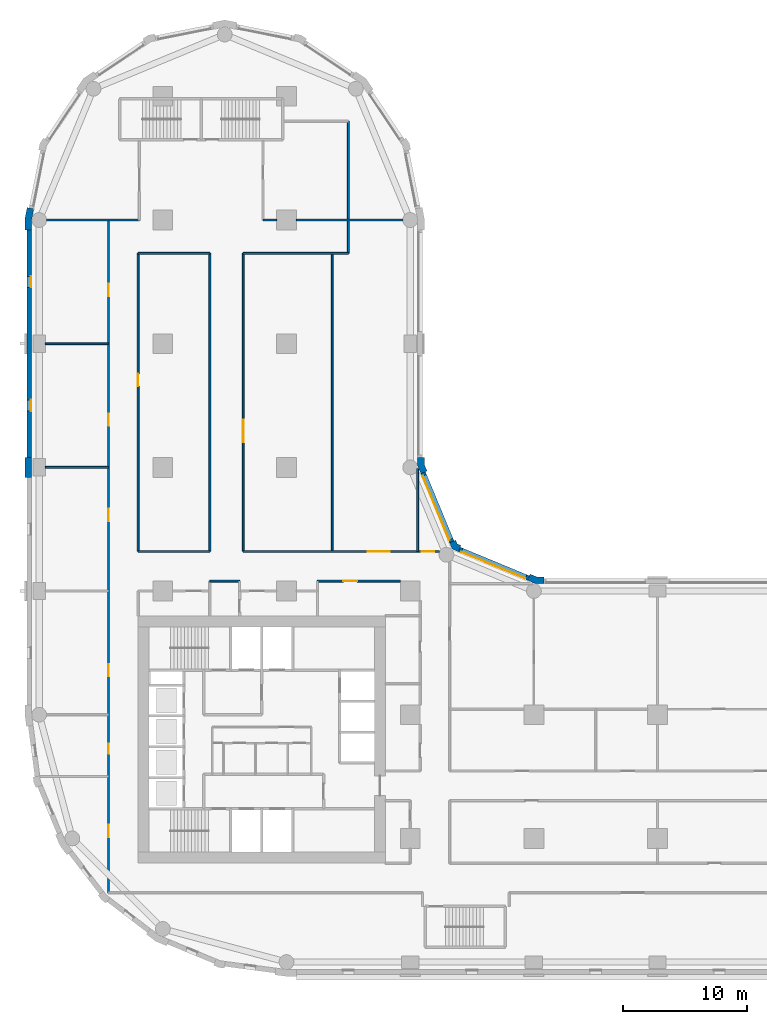
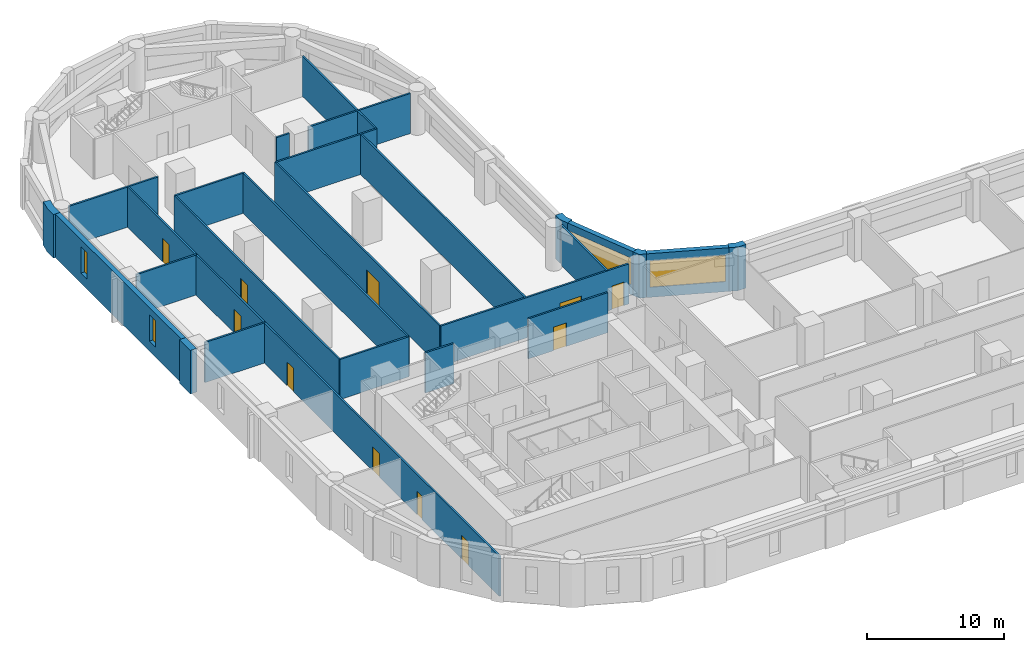
# One storey, part 5 of 10: 26 walls, 11 doors, 4 windows, 15 openings.
"""IFC4 building model written with IfcOpenShell, lengths in metres."""

from ifc_helpers import new_model, si_unit, direction, frame, frame_2d, origin, place, context, subcontext, project, spatial, polyline, rectangle, outline, extrude, material, layer, layer_set, type_object, element, fill, save


model = new_model("IFC4")

# Units and contexts
model_context = context("Model", 3, precision=1e-05, world=origin(), true_north=direction((0.0, 1.0)))
body_context = subcontext(model_context, "Body", "Model", "MODEL_VIEW")
ifc_project = project(units=[si_unit("LENGTHUNIT", "METRE"), si_unit("AREAUNIT", "SQUARE_METRE"), si_unit("VOLUMEUNIT", "CUBIC_METRE"), si_unit("PLANEANGLEUNIT", "RADIAN"), si_unit("MASSUNIT", "GRAM", prefix="KILO")], contexts=[model_context])

# Site, building, storey
site_placement = place(None, origin())
site = spatial("IfcSite", under=ifc_project, at=site_placement, CompositionType="ELEMENT")
building_placement = place(site_placement, origin())
building = spatial("IfcBuilding", under=site, at=building_placement, Name="Qaws Garden Tower", CompositionType="ELEMENT")
storey_placement = place(building_placement, frame((0.0, 0.0, 70.5)))
storey = spatial("IfcBuildingStorey", under=building, at=storey_placement, Name="L17", CompositionType="ELEMENT", Elevation=70.5)

# Wall, opening, window
ifc_material_1 = material(Name="Clay facing brick masonry", Category="masonry")
ifc_layer_1 = layer(ifc_material_1, 0.39990234375)
ifc_layer_set_1 = layer_set([ifc_layer_1], Name="Clay facing brick masonry")
wall_type_1 = type_object("IfcWallType", Name="Brick infill wall 400", PredefinedType="SOLIDWALL", material=ifc_layer_set_1)
wall_1_placement = place(storey_placement, frame((39.56689453125, 31.04541015625, 0.0), z_axis=(0.0, 0.0, 1.0), x_axis=(-0.923891000409, 0.382655745237, 0.0)))
wall_1 = element("IfcWall", 1, at=wall_1_placement, inside=storey, type_object=wall_type_1, Name="E-L17-infill-11", PredefinedType="SOLIDWALL", context=body_context, shape_type="SweptSolid", body=[
    extrude(rectangle(XDim=6.053466796875, YDim=0.39990234375, at=frame_2d((3.02685546875, 0.0))), origin(), (0.0, 0.0, 1.0), 3.89990234375),
])
opening_1_placement = place(wall_1_placement, frame((0.226806640625, 0.0, 0.89990234375)))
opening_1 = element("IfcOpeningElement", 2, at=opening_1_placement, cuts=wall_1, Name="Opening W04", PredefinedType="OPENING", context=body_context, shape_type="SweptSolid", body=[
    extrude(rectangle(XDim=5.60009765625, YDim=2.35009765625, at=frame_2d((2.800048828125, 1.175048828125))), frame((0.0, 0.2099609375, 0.0), z_axis=(0.0, -1.0, 0.0), x_axis=(1.0, 0.0, 0.0)), (0.0, 0.0, 1.0), 0.419921875),
])
ifc_material_2 = material(Name="Aluminium framed window, clear glazing", Category="aluminium")
window_type_1 = type_object("IfcWindowType", Name="Ribbon window 5600 x 2350", PartitioningType="DOUBLE_PANEL_VERTICAL", PredefinedType="WINDOW", material=ifc_material_2)
window_1_placement = place(opening_1_placement, origin())
window_1 = element("IfcWindow", 3, at=window_1_placement, inside=storey, type_object=window_type_1, Name="E-L17-window-11-0", OverallHeight=2.35009765625, OverallWidth=5.60009765625, PartitioningType="SINGLE_PANEL", PredefinedType="WINDOW", context=body_context, shape_type="SweptSolid", body=[
    extrude(rectangle(XDim=5.60009765625, YDim=2.35009765625, at=frame_2d((2.800048828125, 1.175048828125))), frame((0.0, 0.159912109375, 0.0), z_axis=(0.0, -1.0, 0.0), x_axis=(1.0, 0.0, 0.0)), (0.0, 0.0, 1.0), 0.06005859375),
])
fill(opening_1, window_1)

wall_2_placement = place(storey_placement, frame((33.36181640625, 33.97412109375, 0.0), z_axis=(0.0, 0.0, 1.0), x_axis=(-0.382655745237, 0.923891000409, 0.0)))
wall_2 = element("IfcWall", 4, at=wall_2_placement, inside=storey, type_object=wall_type_1, Name="E-L17-infill-12", PredefinedType="SOLIDWALL", context=body_context, shape_type="SweptSolid", body=[
    extrude(rectangle(XDim=6.053466796875, YDim=0.39990234375, at=frame_2d((3.02685546875, 0.0))), origin(), (0.0, 0.0, 1.0), 3.89990234375),
])
opening_2_placement = place(wall_2_placement, frame((0.226806640625, 0.0, 0.89990234375)))
opening_2 = element("IfcOpeningElement", 5, at=opening_2_placement, cuts=wall_2, Name="Opening W04", PredefinedType="OPENING", context=body_context, shape_type="SweptSolid", body=[
    extrude(rectangle(XDim=5.60009765625, YDim=2.35009765625, at=frame_2d((2.800048828125, 1.175048828125))), frame((0.0, 0.2099609375, 0.0), z_axis=(0.0, -1.0, 0.0), x_axis=(1.0, 0.0, 0.0)), (0.0, 0.0, 1.0), 0.419921875),
])
window_2_placement = place(opening_2_placement, origin())
window_2 = element("IfcWindow", 6, at=window_2_placement, inside=storey, type_object=window_type_1, Name="E-L17-window-12-0", OverallHeight=2.35009765625, OverallWidth=5.60009765625, PartitioningType="SINGLE_PANEL", PredefinedType="WINDOW", context=body_context, shape_type="SweptSolid", body=[
    extrude(rectangle(XDim=5.60009765625, YDim=2.35009765625, at=frame_2d((2.800048828125, 1.175048828125))), frame((0.0, 0.159912109375, 0.0), z_axis=(0.0, -1.0, 0.0), x_axis=(1.0, 0.0, 0.0)), (0.0, 0.0, 1.0), 0.06005859375),
])
fill(opening_2, window_2)

# Wall, openings, windows
wall_3_placement = place(storey_placement, frame((-0.800048828125, 59.199951171875, 0.0), z_axis=(0.0, 0.0, 1.0), x_axis=(0.0, -1.0, 0.0)))
wall_3 = element("IfcWall", 7, at=wall_3_placement, inside=storey, type_object=wall_type_1, Name="E-L17-infill-23", PredefinedType="SOLIDWALL", context=body_context, shape_type="SweptSolid", body=[
    extrude(rectangle(XDim=18.39990234375, YDim=0.39990234375, at=frame_2d((9.199951171875, 0.0))), origin(), (0.0, 0.0, 1.0), 3.89990234375),
])
opening_3_placement = place(wall_3_placement, frame((3.75, 0.0, 0.89990234375)))
opening_3 = element("IfcOpeningElement", 8, at=opening_3_placement, cuts=wall_3, Name="Opening W09", PredefinedType="OPENING", context=body_context, shape_type="SweptSolid", body=[
    extrude(rectangle(XDim=0.89990234375, YDim=2.35009765625, at=frame_2d((0.449951171875, 1.175048828125))), frame((0.0, 0.2099609375, 0.0), z_axis=(0.0, -1.0, 0.0), x_axis=(1.0, 0.0, 0.0)), (0.0, 0.0, 1.0), 0.419921875),
])
opening_4_placement = place(wall_3_placement, frame((13.75, 0.0, 0.89990234375)))
opening_4 = element("IfcOpeningElement", 9, at=opening_4_placement, cuts=wall_3, Name="Opening W09", PredefinedType="OPENING", context=body_context, shape_type="SweptSolid", body=[
    extrude(rectangle(XDim=0.89990234375, YDim=2.35009765625, at=frame_2d((0.449951171875, 1.175048828125))), frame((0.0, 0.2099609375, 0.0), z_axis=(0.0, -1.0, 0.0), x_axis=(1.0, 0.0, 0.0)), (0.0, 0.0, 1.0), 0.419921875),
])
ifc_material_3 = material(Name="Aluminium framed window, clear glazing", Category="aluminium")
window_type_2 = type_object("IfcWindowType", Name="Slit window 900 x 2350", PartitioningType="SINGLE_PANEL", PredefinedType="WINDOW", material=ifc_material_3)
window_3_placement = place(opening_3_placement, origin())
window_3 = element("IfcWindow", 10, at=window_3_placement, inside=storey, type_object=window_type_2, Name="E-L17-window-23-0", OverallHeight=2.35009765625, OverallWidth=0.89990234375, PartitioningType="SINGLE_PANEL", PredefinedType="WINDOW", context=body_context, shape_type="SweptSolid", body=[
    extrude(rectangle(XDim=0.89990234375, YDim=2.35009765625, at=frame_2d((0.449951171875, 1.175048828125))), frame((0.0, 0.159912109375, 0.0), z_axis=(0.0, -1.0, 0.0), x_axis=(1.0, 0.0, 0.0)), (0.0, 0.0, 1.0), 0.06005859375),
])
fill(opening_3, window_3)
window_4_placement = place(opening_4_placement, origin())
window_4 = element("IfcWindow", 11, at=window_4_placement, inside=storey, type_object=window_type_2, Name="E-L17-window-24-0", OverallHeight=2.35009765625, OverallWidth=0.89990234375, PartitioningType="SINGLE_PANEL", PredefinedType="WINDOW", context=body_context, shape_type="SweptSolid", body=[
    extrude(rectangle(XDim=0.89990234375, YDim=2.35009765625, at=frame_2d((0.449951171875, 1.175048828125))), frame((0.0, 0.159912109375, 0.0), z_axis=(0.0, -1.0, 0.0), x_axis=(1.0, 0.0, 0.0)), (0.0, 0.0, 1.0), 0.06005859375),
])
fill(opening_4, window_4)

# Walls
ifc_material_4 = material(Name="Clay facing brick masonry", Category="masonry")
ifc_layer_2 = layer(ifc_material_4, 0.550048828125)
ifc_layer_set_2 = layer_set([ifc_layer_2], Name="Clay facing brick masonry")
wall_type_2 = type_object("IfcWallType", Name="Brick pier 550 x 1600", PredefinedType="SOLIDWALL", material=ifc_layer_set_2)
placement = place(storey_placement, origin())
element("IfcWall", 12, at=placement, inside=storey, type_object=wall_type_2, Name="E-L17-pier-11", PredefinedType="SOLIDWALL", context=body_context, shape_type="SweptSolid", body=[
    extrude(outline(polyline([(40.800048828125, 31.0), (40.800048828125, 31.14990234375), (40.228759765625, 31.14990234375), (39.700927734375, 31.36865234375), (39.6435546875, 31.22998046875), (39.490478515625, 30.860595703125), (40.119384765625, 30.60009765625), (40.800048828125, 30.60009765625), (40.800048828125, 31.0)])), origin(), (0.0, 0.0, 1.0), 3.89990234375),
])
element("IfcWall", 13, at=placement, inside=storey, type_object=wall_type_2, Name="E-L17-pier-12", PredefinedType="SOLIDWALL", context=body_context, shape_type="SweptSolid", body=[
    extrude(outline(polyline([(34.05078125, 33.546630859375), (34.108154296875, 33.685302734375), (33.80908203125, 33.80908203125), (33.685302734375, 34.108154296875), (33.546630859375, 34.05078125), (33.177001953125, 33.897705078125), (33.38818359375, 33.38818359375), (33.897705078125, 33.177001953125), (34.05078125, 33.546630859375)])), origin(), (0.0, 0.0, 1.0), 3.89990234375),
])
element("IfcWall", 14, at=placement, inside=storey, type_object=wall_type_2, Name="E-L17-pier-13", PredefinedType="SOLIDWALL", context=body_context, shape_type="SweptSolid", body=[
    extrude(outline(polyline([(31.22998046875, 39.6435546875), (31.36865234375, 39.700927734375), (31.14990234375, 40.228759765625), (31.14990234375, 40.800048828125), (31.0, 40.800048828125), (30.60009765625, 40.800048828125), (30.60009765625, 40.119384765625), (30.860595703125, 39.490478515625), (31.22998046875, 39.6435546875)])), origin(), (0.0, 0.0, 1.0), 3.89990234375),
])
element("IfcWall", 15, at=placement, inside=storey, type_object=wall_type_2, Name="E-L17-pier-23", PredefinedType="SOLIDWALL", context=body_context, shape_type="SweptSolid", body=[
    extrude(outline(polyline([(-0.82470703125, 60.979736328125), (-0.971923828125, 61.009033203125), (-1.14990234375, 60.11328125), (-1.14990234375, 59.199951171875), (-1.0, 59.199951171875), (-0.60009765625, 59.199951171875), (-0.60009765625, 60.05908203125), (-0.432373046875, 60.901611328125), (-0.82470703125, 60.979736328125)])), origin(), (0.0, 0.0, 1.0), 3.89990234375),
])
element("IfcWall", 16, at=placement, inside=storey, type_object=wall_type_2, Name="E-L17-pier-25", PredefinedType="SOLIDWALL", context=body_context, shape_type="SweptSolid", body=[
    extrude(outline(polyline([(-1.0, 40.800048828125), (-1.14990234375, 40.800048828125), (-1.14990234375, 40.0), (-1.14990234375, 39.199951171875), (-1.0, 39.199951171875), (-0.60009765625, 39.199951171875), (-0.60009765625, 40.0), (-0.60009765625, 40.800048828125), (-1.0, 40.800048828125)])), origin(), (0.0, 0.0, 1.0), 3.89990234375),
])

# Wall, openings, doors
ifc_material_5 = material(Name="Gypsum board partition")
ifc_layer_3 = layer(ifc_material_5, 0.14990234375)
ifc_layer_set_3 = layer_set([ifc_layer_3], Name="Gypsum board partition")
wall_type_3 = type_object("IfcWallType", Name="PARTITION 150 EI 60", PredefinedType="PARTITIONING", material=ifc_layer_set_3)
wall_9_placement = place(storey_placement, frame((5.60009765625, 5.60009765625, 0.0), z_axis=(0.0, 0.0, 1.0), x_axis=(0.0, 1.0, 0.0)))
wall_9 = element("IfcWall", 17, at=wall_9_placement, inside=storey, type_object=wall_type_3, Name="O-L17-wall-004", PredefinedType="PARTITIONING", context=body_context, shape_type="SweptSolid", body=[
    extrude(rectangle(XDim=54.39990234375, YDim=0.14990234375, at=frame_2d((27.199951171875, 0.0))), origin(), (0.0, 0.0, 1.0), 3.580078125),
])
opening_5_placement = place(wall_9_placement, frame((4.5, 0.0, 0.0)))
opening_5 = element("IfcOpeningElement", 18, at=opening_5_placement, cuts=wall_9, Name="Opening A601", PredefinedType="OPENING", context=body_context, shape_type="SweptSolid", body=[
    extrude(rectangle(XDim=1.0, YDim=2.10009765625, at=frame_2d((0.5, 1.050048828125))), frame((0.0, 0.0849609375, 0.0), z_axis=(0.0, -1.0, 0.0), x_axis=(1.0, 0.0, 0.0)), (0.0, 0.0, 1.0), 0.169921875),
])
opening_6_placement = place(wall_9_placement, frame((11.25, 0.0, 0.0)))
opening_6 = element("IfcOpeningElement", 19, at=opening_6_placement, cuts=wall_9, Name="Opening A602", PredefinedType="OPENING", context=body_context, shape_type="SweptSolid", body=[
    extrude(rectangle(XDim=0.800048828125, YDim=2.10009765625, at=frame_2d((0.39990234375, 1.050048828125))), frame((0.0, 0.0849609375, 0.0), z_axis=(0.0, -1.0, 0.0), x_axis=(1.0, 0.0, 0.0)), (0.0, 0.0, 1.0), 0.169921875),
])
opening_7_placement = place(wall_9_placement, frame((17.5, 0.0, 0.0)))
opening_7 = element("IfcOpeningElement", 20, at=opening_7_placement, cuts=wall_9, Name="Opening A610", PredefinedType="OPENING", context=body_context, shape_type="SweptSolid", body=[
    extrude(rectangle(XDim=1.0, YDim=2.10009765625, at=frame_2d((0.5, 1.050048828125))), frame((0.0, 0.0849609375, 0.0), z_axis=(0.0, -1.0, 0.0), x_axis=(1.0, 0.0, 0.0)), (0.0, 0.0, 1.0), 0.169921875),
])
opening_8_placement = place(wall_9_placement, frame((30.050048828125, 0.0, 0.0)))
opening_8 = element("IfcOpeningElement", 21, at=opening_8_placement, cuts=wall_9, Name="Opening A619", PredefinedType="OPENING", context=body_context, shape_type="SweptSolid", body=[
    extrude(rectangle(XDim=1.0, YDim=2.10009765625, at=frame_2d((0.5, 1.050048828125))), frame((0.0, 0.0849609375, 0.0), z_axis=(0.0, -1.0, 0.0), x_axis=(1.0, 0.0, 0.0)), (0.0, 0.0, 1.0), 0.169921875),
])
opening_9_placement = place(wall_9_placement, frame((37.75, 0.0, 0.0)))
opening_9 = element("IfcOpeningElement", 22, at=opening_9_placement, cuts=wall_9, Name="Opening A620", PredefinedType="OPENING", context=body_context, shape_type="SweptSolid", body=[
    extrude(rectangle(XDim=1.0, YDim=2.10009765625, at=frame_2d((0.5, 1.050048828125))), frame((0.0, 0.0849609375, 0.0), z_axis=(0.0, -1.0, 0.0), x_axis=(1.0, 0.0, 0.0)), (0.0, 0.0, 1.0), 0.169921875),
])
opening_10_placement = place(wall_9_placement, frame((48.25, 0.0, 0.0)))
opening_10 = element("IfcOpeningElement", 23, at=opening_10_placement, cuts=wall_9, Name="Opening A621", PredefinedType="OPENING", context=body_context, shape_type="SweptSolid", body=[
    extrude(rectangle(XDim=1.0, YDim=2.10009765625, at=frame_2d((0.5, 1.050048828125))), frame((0.0, 0.0849609375, 0.0), z_axis=(0.0, -1.0, 0.0), x_axis=(1.0, 0.0, 0.0)), (0.0, 0.0, 1.0), 0.169921875),
])
ifc_material_6 = material(Name="Timber door leaf", Category="wood")
door_type_1 = type_object("IfcDoorType", Name="STORE DOOR 800 X 2100", OperationType="SINGLE_SWING_LEFT", PredefinedType="DOOR", material=ifc_material_6)
door_1_placement = place(opening_6_placement, origin())
door_1 = element("IfcDoor", 24, at=door_1_placement, inside=storey, type_object=door_type_1, Name="O-L17-door-002", OperationType="SINGLE_SWING_RIGHT", OverallHeight=2.10009765625, OverallWidth=0.800048828125, PredefinedType="DOOR", context=body_context, shape_type="SweptSolid", body=[
    extrude(rectangle(XDim=0.800048828125, YDim=2.10009765625, at=frame_2d((0.39990234375, 1.050048828125))), frame((0.0, 0.02490234375, 0.0), z_axis=(0.0, -1.0, 0.0), x_axis=(1.0, 0.0, 0.0)), (0.0, 0.0, 1.0), 0.050048828125),
])
fill(opening_6, door_1)
ifc_material_7 = material(Name="Timber door leaf", Category="wood")
door_type_2 = type_object("IfcDoorType", Name="TENANCY ENTRANCE DOOR 1000 X 2100", OperationType="SINGLE_SWING_LEFT", PredefinedType="DOOR", material=ifc_material_7)
door_2_placement = place(opening_5_placement, origin())
door_2 = element("IfcDoor", 25, at=door_2_placement, inside=storey, type_object=door_type_2, Name="O-L17-door-001", OperationType="SINGLE_SWING_RIGHT", OverallHeight=2.10009765625, OverallWidth=1.0, PredefinedType="DOOR", context=body_context, shape_type="SweptSolid", body=[
    extrude(rectangle(XDim=1.0, YDim=2.10009765625, at=frame_2d((0.5, 1.050048828125))), frame((0.0, 0.02490234375, 0.0), z_axis=(0.0, -1.0, 0.0), x_axis=(1.0, 0.0, 0.0)), (0.0, 0.0, 1.0), 0.050048828125),
])
fill(opening_5, door_2)
door_3_placement = place(opening_7_placement, origin())
door_3 = element("IfcDoor", 26, at=door_3_placement, inside=storey, type_object=door_type_2, Name="O-L17-door-010", OperationType="SINGLE_SWING_RIGHT", OverallHeight=2.10009765625, OverallWidth=1.0, PredefinedType="DOOR", context=body_context, shape_type="SweptSolid", body=[
    extrude(rectangle(XDim=1.0, YDim=2.10009765625, at=frame_2d((0.5, 1.050048828125))), frame((0.0, 0.02490234375, 0.0), z_axis=(0.0, -1.0, 0.0), x_axis=(1.0, 0.0, 0.0)), (0.0, 0.0, 1.0), 0.050048828125),
])
fill(opening_7, door_3)
door_4_placement = place(opening_8_placement, origin())
door_4 = element("IfcDoor", 27, at=door_4_placement, inside=storey, type_object=door_type_2, Name="O-L17-door-019", OperationType="SINGLE_SWING_LEFT", OverallHeight=2.10009765625, OverallWidth=1.0, PredefinedType="DOOR", context=body_context, shape_type="SweptSolid", body=[
    extrude(rectangle(XDim=1.0, YDim=2.10009765625, at=frame_2d((0.5, 1.050048828125))), frame((0.0, 0.02490234375, 0.0), z_axis=(0.0, -1.0, 0.0), x_axis=(1.0, 0.0, 0.0)), (0.0, 0.0, 1.0), 0.050048828125),
])
fill(opening_8, door_4)
door_5_placement = place(opening_9_placement, origin())
door_5 = element("IfcDoor", 28, at=door_5_placement, inside=storey, type_object=door_type_2, Name="O-L17-door-020", OperationType="SINGLE_SWING_LEFT", OverallHeight=2.10009765625, OverallWidth=1.0, PredefinedType="DOOR", context=body_context, shape_type="SweptSolid", body=[
    extrude(rectangle(XDim=1.0, YDim=2.10009765625, at=frame_2d((0.5, 1.050048828125))), frame((0.0, 0.02490234375, 0.0), z_axis=(0.0, -1.0, 0.0), x_axis=(1.0, 0.0, 0.0)), (0.0, 0.0, 1.0), 0.050048828125),
])
fill(opening_9, door_5)
door_6_placement = place(opening_10_placement, origin())
door_6 = element("IfcDoor", 29, at=door_6_placement, inside=storey, type_object=door_type_2, Name="O-L17-door-021", OperationType="SINGLE_SWING_LEFT", OverallHeight=2.10009765625, OverallWidth=1.0, PredefinedType="DOOR", context=body_context, shape_type="SweptSolid", body=[
    extrude(rectangle(XDim=1.0, YDim=2.10009765625, at=frame_2d((0.5, 1.050048828125))), frame((0.0, 0.02490234375, 0.0), z_axis=(0.0, -1.0, 0.0), x_axis=(1.0, 0.0, 0.0)), (0.0, 0.0, 1.0), 0.050048828125),
])
fill(opening_10, door_6)

# Wall, opening, door
wall_10_placement = place(storey_placement, frame((8.0, 33.199951171875, 0.0), z_axis=(0.0, 0.0, 1.0), x_axis=(0.0, 1.0, 0.0)))
wall_10 = element("IfcWall", 30, at=wall_10_placement, inside=storey, type_object=wall_type_3, Name="O-L17-wall-006", PredefinedType="PARTITIONING", context=body_context, shape_type="SweptSolid", body=[
    extrude(rectangle(XDim=24.10009765625, YDim=0.14990234375, at=frame_2d((12.050048828125, 0.0))), origin(), (0.0, 0.0, 1.0), 3.580078125),
])
opening_11_placement = place(wall_10_placement, frame((13.35009765625, 0.0, 0.0)))
opening_11 = element("IfcOpeningElement", 31, at=opening_11_placement, cuts=wall_10, Name="Opening A613", PredefinedType="OPENING", context=body_context, shape_type="SweptSolid", body=[
    extrude(rectangle(XDim=1.0, YDim=2.10009765625, at=frame_2d((0.5, 1.050048828125))), frame((0.0, 0.0849609375, 0.0), z_axis=(0.0, -1.0, 0.0), x_axis=(1.0, 0.0, 0.0)), (0.0, 0.0, 1.0), 0.169921875),
])
door_7_placement = place(opening_11_placement, frame((1.0, 0.0, 0.0), z_axis=(0.0, 0.0, 1.0), x_axis=(-1.0, 0.0, 0.0)))
door_7 = element("IfcDoor", 32, at=door_7_placement, inside=storey, type_object=door_type_2, Name="O-L17-door-013", OperationType="SINGLE_SWING_RIGHT", OverallHeight=2.10009765625, OverallWidth=1.0, PredefinedType="DOOR", context=body_context, shape_type="SweptSolid", body=[
    extrude(rectangle(XDim=1.0, YDim=2.10009765625, at=frame_2d((0.5, 1.050048828125))), frame((0.0, 0.02490234375, 0.0), z_axis=(0.0, -1.0, 0.0), x_axis=(1.0, 0.0, 0.0)), (0.0, 0.0, 1.0), 0.050048828125),
])
fill(opening_11, door_7)

# Wall
wall_11_placement = place(storey_placement, frame((13.800048828125, 33.199951171875, 0.0), z_axis=(0.0, 0.0, 1.0), x_axis=(0.0, 1.0, 0.0)))
element("IfcWall", 33, at=wall_11_placement, inside=storey, type_object=wall_type_3, Name="O-L17-wall-009", PredefinedType="PARTITIONING", context=body_context, shape_type="SweptSolid", body=[
    extrude(rectangle(XDim=24.10009765625, YDim=0.14990234375, at=frame_2d((12.050048828125, 0.0))), origin(), (0.0, 0.0, 1.0), 3.580078125),
])

# Wall, opening, door
wall_12_placement = place(storey_placement, frame((16.5, 33.199951171875, 0.0), z_axis=(0.0, 0.0, 1.0), x_axis=(0.0, 1.0, 0.0)))
wall_12 = element("IfcWall", 34, at=wall_12_placement, inside=storey, type_object=wall_type_3, Name="O-L17-wall-011", PredefinedType="PARTITIONING", context=body_context, shape_type="SweptSolid", body=[
    extrude(rectangle(XDim=24.10009765625, YDim=0.14990234375, at=frame_2d((12.050048828125, 0.0))), origin(), (0.0, 0.0, 1.0), 3.580078125),
])
opening_12_placement = place(wall_12_placement, frame((8.85009765625, 0.0, 0.0)))
opening_12 = element("IfcOpeningElement", 35, at=opening_12_placement, cuts=wall_12, Name="Opening A614", PredefinedType="OPENING", context=body_context, shape_type="SweptSolid", body=[
    extrude(rectangle(XDim=1.800048828125, YDim=2.10009765625, at=frame_2d((0.89990234375, 1.050048828125))), frame((0.0, 0.0849609375, 0.0), z_axis=(0.0, -1.0, 0.0), x_axis=(1.0, 0.0, 0.0)), (0.0, 0.0, 1.0), 0.169921875),
])
ifc_material_8 = material(Name="Timber door leaf", Category="wood")
door_type_3 = type_object("IfcDoorType", Name="DOUBLE DOOR 1800 X 2100", OperationType="DOUBLE_DOOR_SINGLE_SWING", PredefinedType="DOOR", material=ifc_material_8)
door_8_placement = place(opening_12_placement, frame((1.800048828125, 0.0, 0.0), z_axis=(0.0, 0.0, 1.0), x_axis=(-1.0, 0.0, 0.0)))
door_8 = element("IfcDoor", 36, at=door_8_placement, inside=storey, type_object=door_type_3, Name="O-L17-door-014", OperationType="DOUBLE_DOOR_SINGLE_SWING", OverallHeight=2.10009765625, OverallWidth=1.800048828125, PredefinedType="DOOR", context=body_context, shape_type="SweptSolid", body=[
    extrude(rectangle(XDim=1.800048828125, YDim=2.10009765625, at=frame_2d((0.89990234375, 1.050048828125))), frame((0.0, 0.02490234375, 0.0), z_axis=(0.0, -1.0, 0.0), x_axis=(1.0, 0.0, 0.0)), (0.0, 0.0, 1.0), 0.050048828125),
])
fill(opening_12, door_8)

# Walls
wall_13_placement = place(storey_placement, frame((23.699951171875, 33.199951171875, 0.0), z_axis=(0.0, 0.0, 1.0), x_axis=(0.0, 1.0, 0.0)))
element("IfcWall", 37, at=wall_13_placement, inside=storey, type_object=wall_type_3, Name="O-L17-wall-014", PredefinedType="PARTITIONING", context=body_context, shape_type="SweptSolid", body=[
    extrude(rectangle(XDim=24.10009765625, YDim=0.14990234375, at=frame_2d((12.050048828125, 0.0))), origin(), (0.0, 0.0, 1.0), 3.580078125),
])
wall_14_placement = place(storey_placement, frame((25.0, 57.300048828125, 0.0), z_axis=(0.0, 0.0, 1.0), x_axis=(0.0, 1.0, 0.0)))
element("IfcWall", 38, at=wall_14_placement, inside=storey, type_object=wall_type_3, Name="O-L17-wall-015", PredefinedType="PARTITIONING", context=body_context, shape_type="SweptSolid", body=[
    extrude(rectangle(XDim=10.699951171875, YDim=0.14990234375, at=frame_2d((5.35009765625, 0.0))), origin(), (0.0, 0.0, 1.0), 3.580078125),
])
wall_15_placement = place(storey_placement, frame((30.60009765625, 33.199951171875, 0.0), z_axis=(0.0, 0.0, 1.0), x_axis=(0.0, 1.0, 0.0)))
element("IfcWall", 39, at=wall_15_placement, inside=storey, type_object=wall_type_3, Name="O-L17-wall-018", PredefinedType="PARTITIONING", context=body_context, shape_type="SweptSolid", body=[
    extrude(rectangle(XDim=6.698974609375, YDim=0.14990234375, at=frame_2d((3.349609375, 0.0))), origin(), (0.0, 0.0, 1.0), 3.580078125),
])
wall_16_placement = place(storey_placement, frame((13.800048828125, 30.800048828125, 0.0), z_axis=(0.0, 0.0, 1.0), x_axis=(1.0, 0.0, 0.0)))
element("IfcWall", 40, at=wall_16_placement, inside=storey, type_object=wall_type_3, Name="O-L17-wall-054", PredefinedType="PARTITIONING", context=body_context, shape_type="SweptSolid", body=[
    extrude(rectangle(XDim=2.39990234375, YDim=0.14990234375, at=frame_2d((1.199951171875, 0.0))), origin(), (0.0, 0.0, 1.0), 3.580078125),
])

# Wall, opening, door
wall_17_placement = place(storey_placement, frame((22.5, 30.800048828125, 0.0), z_axis=(0.0, 0.0, 1.0), x_axis=(1.0, 0.0, 0.0)))
wall_17 = element("IfcWall", 41, at=wall_17_placement, inside=storey, type_object=wall_type_3, Name="O-L17-wall-055", PredefinedType="PARTITIONING", context=body_context, shape_type="SweptSolid", body=[
    extrude(rectangle(XDim=6.699951171875, YDim=0.14990234375, at=frame_2d((3.35009765625, 0.0))), origin(), (0.0, 0.0, 1.0), 3.580078125),
])
opening_13_placement = place(wall_17_placement, frame((2.10009765625, 0.0, 0.0)))
opening_13 = element("IfcOpeningElement", 42, at=opening_13_placement, cuts=wall_17, Name="Opening A612", PredefinedType="OPENING", context=body_context, shape_type="SweptSolid", body=[
    extrude(rectangle(XDim=1.10009765625, YDim=2.10009765625, at=frame_2d((0.550048828125, 1.050048828125))), frame((0.0, 0.0849609375, 0.0), z_axis=(0.0, -1.0, 0.0), x_axis=(1.0, 0.0, 0.0)), (0.0, 0.0, 1.0), 0.169921875),
])
ifc_material_9 = material(Name="Timber door leaf", Category="wood")
door_type_4 = type_object("IfcDoorType", Name="SERVICE ROOM DOOR 1100 X 2100", OperationType="SINGLE_SWING_LEFT", PredefinedType="DOOR", material=ifc_material_9)
door_9_placement = place(opening_13_placement, frame((1.10009765625, 0.0, 0.0), z_axis=(0.0, 0.0, 1.0), x_axis=(-1.0, 0.0, 0.0)))
door_9 = element("IfcDoor", 43, at=door_9_placement, inside=storey, type_object=door_type_4, Name="O-L17-door-012", OperationType="SINGLE_SWING_LEFT", OverallHeight=2.10009765625, OverallWidth=1.10009765625, PredefinedType="DOOR", context=body_context, shape_type="SweptSolid", body=[
    extrude(rectangle(XDim=1.10009765625, YDim=2.10009765625, at=frame_2d((0.550048828125, 1.050048828125))), frame((0.0, 0.02490234375, 0.0), z_axis=(0.0, -1.0, 0.0), x_axis=(1.0, 0.0, 0.0)), (0.0, 0.0, 1.0), 0.050048828125),
])
fill(opening_13, door_9)

# Wall
wall_18_placement = place(storey_placement, frame((8.0, 33.199951171875, 0.0), z_axis=(0.0, 0.0, 1.0), x_axis=(1.0, 0.0, 0.0)))
element("IfcWall", 44, at=wall_18_placement, inside=storey, type_object=wall_type_3, Name="O-L17-wall-056", PredefinedType="PARTITIONING", context=body_context, shape_type="SweptSolid", body=[
    extrude(rectangle(XDim=5.800048828125, YDim=0.14990234375, at=frame_2d((2.89990234375, 0.0))), origin(), (0.0, 0.0, 1.0), 3.580078125),
])

# Wall, openings, doors
wall_19_placement = place(storey_placement, frame((16.5, 33.199951171875, 0.0), z_axis=(0.0, 0.0, 1.0), x_axis=(1.0, 0.0, 0.0)))
wall_19 = element("IfcWall", 45, at=wall_19_placement, inside=storey, type_object=wall_type_3, Name="O-L17-wall-057", PredefinedType="PARTITIONING", context=body_context, shape_type="SweptSolid", body=[
    extrude(rectangle(XDim=15.862060546875, YDim=0.14990234375, at=frame_2d((7.93115234375, 0.0))), origin(), (0.0, 0.0, 1.0), 3.580078125),
])
opening_14_placement = place(wall_19_placement, frame((10.050048828125, 0.0, 0.0)))
opening_14 = element("IfcOpeningElement", 46, at=opening_14_placement, cuts=wall_19, Name="Opening A615", PredefinedType="OPENING", context=body_context, shape_type="SweptSolid", body=[
    extrude(rectangle(XDim=1.800048828125, YDim=2.10009765625, at=frame_2d((0.89990234375, 1.050048828125))), frame((0.0, 0.0849609375, 0.0), z_axis=(0.0, -1.0, 0.0), x_axis=(1.0, 0.0, 0.0)), (0.0, 0.0, 1.0), 0.169921875),
])
opening_15_placement = place(wall_19_placement, frame((14.449951171875, 0.0, 0.0)))
opening_15 = element("IfcOpeningElement", 47, at=opening_15_placement, cuts=wall_19, Name="Opening A618", PredefinedType="OPENING", context=body_context, shape_type="SweptSolid", body=[
    extrude(rectangle(XDim=1.0, YDim=2.10009765625, at=frame_2d((0.5, 1.050048828125))), frame((0.0, 0.0849609375, 0.0), z_axis=(0.0, -1.0, 0.0), x_axis=(1.0, 0.0, 0.0)), (0.0, 0.0, 1.0), 0.169921875),
])
door_10_placement = place(opening_14_placement, origin())
door_10 = element("IfcDoor", 48, at=door_10_placement, inside=storey, type_object=door_type_3, Name="O-L17-door-015", OperationType="DOUBLE_DOOR_SINGLE_SWING", OverallHeight=2.10009765625, OverallWidth=1.800048828125, PredefinedType="DOOR", context=body_context, shape_type="SweptSolid", body=[
    extrude(rectangle(XDim=1.800048828125, YDim=2.10009765625, at=frame_2d((0.89990234375, 1.050048828125))), frame((0.0, 0.02490234375, 0.0), z_axis=(0.0, -1.0, 0.0), x_axis=(1.0, 0.0, 0.0)), (0.0, 0.0, 1.0), 0.050048828125),
])
fill(opening_14, door_10)
door_11_placement = place(opening_15_placement, origin())
door_11 = element("IfcDoor", 49, at=door_11_placement, inside=storey, type_object=door_type_2, Name="O-L17-door-018", OperationType="SINGLE_SWING_LEFT", OverallHeight=2.10009765625, OverallWidth=1.0, PredefinedType="DOOR", context=body_context, shape_type="SweptSolid", body=[
    extrude(rectangle(XDim=1.0, YDim=2.10009765625, at=frame_2d((0.5, 1.050048828125))), frame((0.0, 0.02490234375, 0.0), z_axis=(0.0, -1.0, 0.0), x_axis=(1.0, 0.0, 0.0)), (0.0, 0.0, 1.0), 0.050048828125),
])
fill(opening_15, door_11)

# Walls
for number, where, z_axis, x_axis, name in (
    (50, (0.5, 40.0, 0.0), (0.0, 0.0, 1.0), (1.0, 0.0, 0.0), "O-L17-wall-058"),
    (51, (0.5, 50.0, 0.0), (0.0, 0.0, 1.0), (1.0, 0.0, 0.0), "O-L17-wall-059"),
):
    element("IfcWall", number, at=place(storey_placement, frame(where, z_axis=z_axis, x_axis=x_axis)), inside=storey, type_object=wall_type_3, Name=name, PredefinedType="PARTITIONING", context=body_context, shape_type="SweptSolid", body=[
        extrude(rectangle(XDim=5.10009765625, YDim=0.14990234375, at=frame_2d((2.550048828125, 0.0))), origin(), (0.0, 0.0, 1.0), 3.580078125),
    ])
wall_20_placement = place(storey_placement, frame((8.0, 57.300048828125, 0.0), z_axis=(0.0, 0.0, 1.0), x_axis=(1.0, 0.0, 0.0)))
element("IfcWall", 52, at=wall_20_placement, inside=storey, type_object=wall_type_3, Name="O-L17-wall-060", PredefinedType="PARTITIONING", context=body_context, shape_type="SweptSolid", body=[
    extrude(rectangle(XDim=5.800048828125, YDim=0.14990234375, at=frame_2d((2.89990234375, 0.0))), origin(), (0.0, 0.0, 1.0), 3.580078125),
])
wall_21_placement = place(storey_placement, frame((16.5, 57.300048828125, 0.0), z_axis=(0.0, 0.0, 1.0), x_axis=(1.0, 0.0, 0.0)))
element("IfcWall", 53, at=wall_21_placement, inside=storey, type_object=wall_type_3, Name="O-L17-wall-061", PredefinedType="PARTITIONING", context=body_context, shape_type="SweptSolid", body=[
    extrude(rectangle(XDim=8.5, YDim=0.14990234375, at=frame_2d((4.25, 0.0))), origin(), (0.0, 0.0, 1.0), 3.580078125),
])
wall_22_placement = place(storey_placement, frame((0.60009765625, 60.0, 0.0), z_axis=(0.0, 0.0, 1.0), x_axis=(1.0, 0.0, 0.0)))
element("IfcWall", 54, at=wall_22_placement, inside=storey, type_object=wall_type_3, Name="O-L17-wall-062", PredefinedType="PARTITIONING", context=body_context, shape_type="SweptSolid", body=[
    extrude(rectangle(XDim=7.5, YDim=0.14990234375, at=frame_2d((3.75, 0.0))), origin(), (0.0, 0.0, 1.0), 3.580078125),
])
wall_23_placement = place(storey_placement, frame((18.10009765625, 60.0, 0.0), z_axis=(0.0, 0.0, 1.0), x_axis=(1.0, 0.0, 0.0)))
element("IfcWall", 55, at=wall_23_placement, inside=storey, type_object=wall_type_3, Name="O-L17-wall-063", PredefinedType="PARTITIONING", context=body_context, shape_type="SweptSolid", body=[
    extrude(rectangle(XDim=1.099853515625, YDim=0.14990234375, at=frame_2d((0.5498046875, 0.0))), origin(), (0.0, 0.0, 1.0), 3.580078125),
])
wall_24_placement = place(storey_placement, frame((20.800048828125, 60.0, 0.0), z_axis=(0.0, 0.0, 1.0), x_axis=(1.0, 0.0, 0.0)))
element("IfcWall", 56, at=wall_24_placement, inside=storey, type_object=wall_type_3, Name="O-L17-wall-064", PredefinedType="PARTITIONING", context=body_context, shape_type="SweptSolid", body=[
    extrude(rectangle(XDim=8.599853515625, YDim=0.14990234375, at=frame_2d((4.2998046875, 0.0))), origin(), (0.0, 0.0, 1.0), 3.580078125),
])

save(model, "model.ifc")
